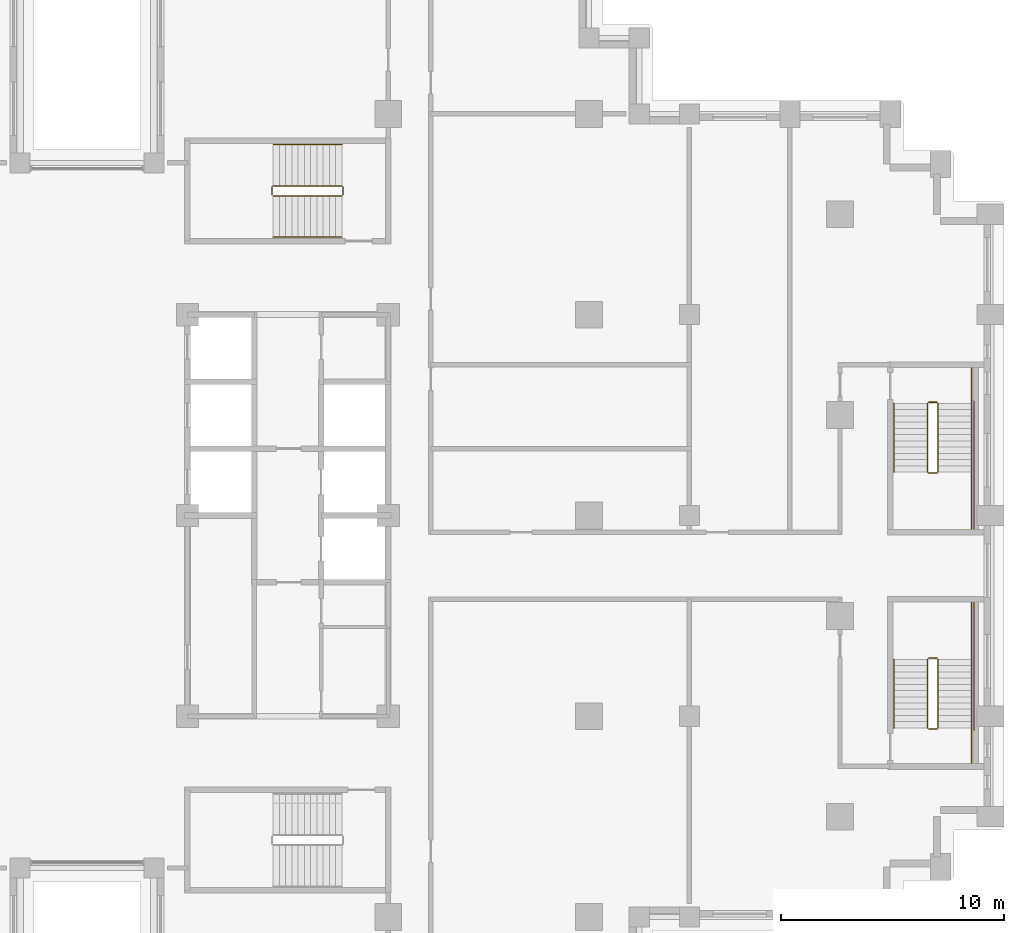
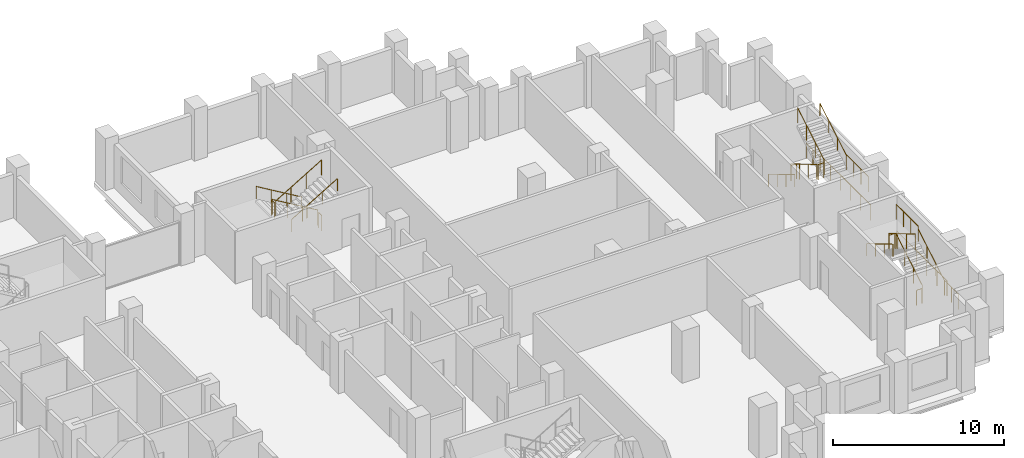
# One storey, part 15 of 15: 3 railings.
"""IFC4 building model written with IfcOpenShell, lengths in metres."""

from ifc_helpers import new_model, si_unit, direction, frame, origin, origin_2d, place, context, subcontext, project, spatial, circle, extrude, material, type_object, element, save


model = new_model("IFC4")

# Units and contexts
model_context = context("Model", 3, precision=1e-05, world=origin(), true_north=direction((0.0, 1.0)))
body_context = subcontext(model_context, "Body", "Model", "MODEL_VIEW")
ifc_project = project(units=[si_unit("LENGTHUNIT", "METRE"), si_unit("AREAUNIT", "SQUARE_METRE"), si_unit("VOLUMEUNIT", "CUBIC_METRE"), si_unit("PLANEANGLEUNIT", "RADIAN"), si_unit("MASSUNIT", "GRAM", prefix="KILO")], contexts=[model_context])

# Site, building, storey
site_placement = place(None, origin())
site = spatial("IfcSite", under=ifc_project, at=site_placement, CompositionType="ELEMENT")
building_placement = place(site_placement, origin())
building = spatial("IfcBuilding", under=site, at=building_placement, Name="Corbelhall Arena Tower", CompositionType="ELEMENT")
storey_placement = place(building_placement, frame((0.0, 0.0, 84.0)))
storey = spatial("IfcBuildingStorey", under=building, at=storey_placement, Name="L13", CompositionType="ELEMENT", Elevation=84.0)

# Railings
ifc_material = material(Name="Steel ASTM A500 Gr C", Category="steel")
railing_type = type_object("IfcRailingType", Name="IN-GD-1100", PredefinedType="GUARDRAIL", material=ifc_material)
railing_1_placement = place(storey_placement, frame((11.425048828125, 14.77490234375, 0.166748046875)))
element("IfcRailing", 1, at=railing_1_placement, inside=storey, type_object=railing_type, Name="L13 ST3 stair guards and handrails", PredefinedType="GUARDRAIL", context=body_context, shape_type="SweptSolid", body=[
    extrude(circle(Radius=0.02392578125, at=origin_2d()), frame((0.0, 0.0, 1.076171875), z_axis=(-0.859308565015, 0.0, 0.511457515432), x_axis=(0.0, -1.0, 0.0)), (0.0, 0.0, 1.0), 3.58447265625),
    extrude(circle(Radius=0.02392578125, at=origin_2d()), frame((-3.130126953125, -0.0498046875, 2.9091796875), z_axis=(0.0, -1.0, 0.0), x_axis=(1.0, 0.0, 0.0)), (0.0, 0.0, 1.0), 0.35009765625),
    extrude(circle(Radius=0.02392578125, at=origin_2d()), frame((-3.080078125, -0.449951171875, 3.076171875), z_axis=(0.859308565015, 0.0, 0.511457515432), x_axis=(0.0, 1.0, 0.0)), (0.0, 0.0, 1.0), 3.58447265625),
    extrude(circle(Radius=0.02392578125, at=origin_2d()), frame((0.050048828125, -0.0498046875, 0.9091796875), z_axis=(0.0, -1.0, 0.0), x_axis=(1.0, 0.0, 0.0)), (0.0, 0.0, 1.0), 0.35009765625),
    extrude(circle(Radius=0.02392578125, at=origin_2d()), frame((0.0, 1.85009765625, 0.8759765625), z_axis=(-0.859308565015, 0.0, 0.511457515432), x_axis=(0.0, -1.0, 0.0)), (0.0, 0.0, 1.0), 3.58447265625),
    extrude(circle(Radius=0.02392578125, at=origin_2d()), frame((-3.080078125, -2.2998046875, 2.8759765625), z_axis=(0.859308565015, 0.0, 0.511457515432), x_axis=(0.0, 1.0, 0.0)), (0.0, 0.0, 1.0), 3.58447265625),
    extrude(circle(Radius=0.02099609375, at=origin_2d()), origin(), (0.0, 0.0, 1.0), 1.052001953125),
    extrude(circle(Radius=0.02099609375, at=origin_2d()), frame((-1.026611328125, 0.0, 0.611083984375)), (0.0, 0.0, 1.0), 1.052001953125),
    extrude(circle(Radius=0.02099609375, at=origin_2d()), frame((-2.053466796875, 0.0, 1.22216796875)), (0.0, 0.0, 1.0), 1.052001953125),
    extrude(circle(Radius=0.02099609375, at=origin_2d()), frame((-3.080078125, 0.0, 1.833251953125)), (0.0, 0.0, 1.0), 1.052001953125),
    extrude(circle(Radius=0.02099609375, at=origin_2d()), frame((-3.130126953125, -0.0498046875, 1.833251953125)), (0.0, 0.0, 1.0), 1.052001953125),
    extrude(circle(Radius=0.02099609375, at=origin_2d()), frame((-3.130126953125, -0.39990234375, 1.833251953125)), (0.0, 0.0, 1.0), 1.052001953125),
    extrude(circle(Radius=0.02099609375, at=origin_2d()), frame((-3.080078125, -0.449951171875, 2.0)), (0.0, 0.0, 1.0), 1.052001953125),
    extrude(circle(Radius=0.02099609375, at=origin_2d()), frame((-2.053466796875, -0.449951171875, 2.611083984375)), (0.0, 0.0, 1.0), 1.052001953125),
    extrude(circle(Radius=0.02099609375, at=origin_2d()), frame((-1.026611328125, -0.449951171875, 3.22216796875)), (0.0, 0.0, 1.0), 1.052001953125),
    extrude(circle(Radius=0.02099609375, at=origin_2d()), frame((0.0, -0.449951171875, 3.833251953125)), (0.0, 0.0, 1.0), 1.052001953125),
    extrude(circle(Radius=0.02099609375, at=origin_2d()), frame((0.050048828125, -0.0498046875, -0.166748046875)), (0.0, 0.0, 1.0), 1.052001953125),
    extrude(circle(Radius=0.02099609375, at=origin_2d()), frame((0.050048828125, -0.39990234375, -0.166748046875)), (0.0, 0.0, 1.0), 1.052001953125),
    extrude(circle(Radius=0.02099609375, at=origin_2d()), frame((0.0, 1.85009765625, 0.0)), (0.0, 0.0, 1.0), 0.851806640625),
    extrude(circle(Radius=0.02099609375, at=origin_2d()), frame((-1.026611328125, 1.85009765625, 0.611083984375)), (0.0, 0.0, 1.0), 0.851806640625),
    extrude(circle(Radius=0.02099609375, at=origin_2d()), frame((-2.053466796875, 1.85009765625, 1.22216796875)), (0.0, 0.0, 1.0), 0.851806640625),
    extrude(circle(Radius=0.02099609375, at=origin_2d()), frame((-3.080078125, 1.85009765625, 1.833251953125)), (0.0, 0.0, 1.0), 0.851806640625),
    extrude(circle(Radius=0.02099609375, at=origin_2d()), frame((-3.080078125, -2.2998046875, 2.0)), (0.0, 0.0, 1.0), 0.851806640625),
    extrude(circle(Radius=0.02099609375, at=origin_2d()), frame((-2.053466796875, -2.2998046875, 2.611083984375)), (0.0, 0.0, 1.0), 0.851806640625),
    extrude(circle(Radius=0.02099609375, at=origin_2d()), frame((-1.026611328125, -2.2998046875, 3.22216796875)), (0.0, 0.0, 1.0), 0.851806640625),
    extrude(circle(Radius=0.02099609375, at=origin_2d()), frame((0.0, -2.2998046875, 3.833251953125)), (0.0, 0.0, 1.0), 0.851806640625),
])
railing_2_placement = place(storey_placement, frame((38.14990234375, -9.52490234375, 0.166748046875)))
element("IfcRailing", 2, at=railing_2_placement, inside=storey, type_object=railing_type, Name="L13 SD1 stair guards and handrails", PredefinedType="GUARDRAIL", context=body_context, shape_type="SweptSolid", body=[
    extrude(circle(Radius=0.02392578125, at=origin_2d()), frame((0.0, 0.0, 1.076171875), z_axis=(0.0, 0.859290745958, 0.51148745235), x_axis=(-1.0, 0.0, 0.0)), (0.0, 0.0, 1.0), 3.584228515625),
    extrude(circle(Radius=0.02392578125, at=origin_2d()), frame((-0.0498046875, 3.1298828125, 2.9091796875), z_axis=(-1.0, 0.0, 0.0), x_axis=(0.0, -1.0, 0.0)), (0.0, 0.0, 1.0), 0.375),
    extrude(circle(Radius=0.02392578125, at=origin_2d()), frame((1.5, 3.079833984375, 2.9091796875), z_axis=(0.0, 1.0, 0.0), x_axis=(-1.0, 0.0, 0.0)), (0.0, 0.0, 1.0), 2.570068359375),
    extrude(circle(Radius=0.02392578125, at=origin_2d()), frame((-0.474853515625, 3.079833984375, 3.076171875), z_axis=(0.0, -0.859290745958, 0.51148745235), x_axis=(1.0, 0.0, 0.0)), (0.0, 0.0, 1.0), 3.584228515625),
    extrude(circle(Radius=0.02392578125, at=origin_2d()), frame((-0.0498046875, -0.050048828125, 0.9091796875), z_axis=(-1.0, 0.0, 0.0), x_axis=(0.0, -1.0, 0.0)), (0.0, 0.0, 1.0), 0.375),
    extrude(circle(Radius=0.02392578125, at=origin_2d()), frame((1.5, -1.60009765625, 0.9091796875), z_axis=(0.0, 1.0, 0.0), x_axis=(-1.0, 0.0, 0.0)), (0.0, 0.0, 1.0), 1.60009765625),
    extrude(circle(Radius=0.02392578125, at=origin_2d()), frame((1.60009765625, -0.10009765625, 0.9091796875), z_axis=(0.0, 1.0, 0.0), x_axis=(-1.0, 0.0, 0.0)), (0.0, 0.0, 1.0), 5.85009765625),
    extrude(circle(Radius=0.02392578125, at=origin_2d()), frame((1.5, 0.0, 0.8759765625), z_axis=(0.0, 0.859290745958, 0.51148745235), x_axis=(-1.0, 0.0, 0.0)), (0.0, 0.0, 1.0), 3.584228515625),
    extrude(circle(Radius=0.02392578125, at=origin_2d()), frame((-1.974853515625, 3.079833984375, 2.8759765625), z_axis=(0.0, -0.859290745958, 0.51148745235), x_axis=(1.0, 0.0, 0.0)), (0.0, 0.0, 1.0), 3.584228515625),
    extrude(circle(Radius=0.02099609375, at=origin_2d()), origin(), (0.0, 0.0, 1.0), 1.052001953125),
    extrude(circle(Radius=0.02099609375, at=origin_2d()), frame((0.0, 1.026611328125, 0.611083984375)), (0.0, 0.0, 1.0), 1.052001953125),
    extrude(circle(Radius=0.02099609375, at=origin_2d()), frame((0.0, 2.05322265625, 1.22216796875)), (0.0, 0.0, 1.0), 1.052001953125),
    extrude(circle(Radius=0.02099609375, at=origin_2d()), frame((0.0, 3.079833984375, 1.833251953125)), (0.0, 0.0, 1.0), 1.052001953125),
    extrude(circle(Radius=0.02099609375, at=origin_2d()), frame((-0.0498046875, 3.1298828125, 1.833251953125)), (0.0, 0.0, 1.0), 1.052001953125),
    extrude(circle(Radius=0.02099609375, at=origin_2d()), frame((-0.4248046875, 3.1298828125, 1.833251953125)), (0.0, 0.0, 1.0), 1.052001953125),
    extrude(circle(Radius=0.02099609375, at=origin_2d()), frame((1.5, 3.079833984375, 1.833251953125)), (0.0, 0.0, 1.0), 1.052001953125),
    extrude(circle(Radius=0.02099609375, at=origin_2d()), frame((1.5, 3.9365234375, 1.833251953125)), (0.0, 0.0, 1.0), 1.052001953125),
    extrude(circle(Radius=0.02099609375, at=origin_2d()), frame((1.5, 4.793212890625, 1.833251953125)), (0.0, 0.0, 1.0), 1.052001953125),
    extrude(circle(Radius=0.02099609375, at=origin_2d()), frame((1.5, 5.64990234375, 1.833251953125)), (0.0, 0.0, 1.0), 1.052001953125),
    extrude(circle(Radius=0.02099609375, at=origin_2d()), frame((-0.474853515625, 3.079833984375, 2.0)), (0.0, 0.0, 1.0), 1.052001953125),
    extrude(circle(Radius=0.02099609375, at=origin_2d()), frame((-0.474853515625, 2.05322265625, 2.611083984375)), (0.0, 0.0, 1.0), 1.052001953125),
    extrude(circle(Radius=0.02099609375, at=origin_2d()), frame((-0.474853515625, 1.026611328125, 3.22216796875)), (0.0, 0.0, 1.0), 1.052001953125),
    extrude(circle(Radius=0.02099609375, at=origin_2d()), frame((-0.474853515625, 0.0, 3.833251953125)), (0.0, 0.0, 1.0), 1.052001953125),
    extrude(circle(Radius=0.02099609375, at=origin_2d()), frame((-0.0498046875, -0.050048828125, -0.166748046875)), (0.0, 0.0, 1.0), 1.052001953125),
    extrude(circle(Radius=0.02099609375, at=origin_2d()), frame((-0.4248046875, -0.050048828125, -0.166748046875)), (0.0, 0.0, 1.0), 1.052001953125),
    extrude(circle(Radius=0.02099609375, at=origin_2d()), frame((1.5, -1.60009765625, -0.166748046875)), (0.0, 0.0, 1.0), 1.052001953125),
    extrude(circle(Radius=0.02099609375, at=origin_2d()), frame((1.5, -0.800048828125, -0.166748046875)), (0.0, 0.0, 1.0), 1.052001953125),
    extrude(circle(Radius=0.02099609375, at=origin_2d()), frame((1.5, 0.0, -0.166748046875)), (0.0, 0.0, 1.0), 1.052001953125),
    extrude(circle(Radius=0.02099609375, at=origin_2d()), frame((1.60009765625, -0.10009765625, -0.166748046875)), (0.0, 0.0, 1.0), 1.052001953125),
    extrude(circle(Radius=0.02099609375, at=origin_2d()), frame((1.60009765625, 1.06982421875, -0.166748046875)), (0.0, 0.0, 1.0), 1.052001953125),
    extrude(circle(Radius=0.02099609375, at=origin_2d()), frame((1.60009765625, 2.239990234375, -0.166748046875)), (0.0, 0.0, 1.0), 1.052001953125),
    extrude(circle(Radius=0.02099609375, at=origin_2d()), frame((1.60009765625, 3.409912109375, -0.166748046875)), (0.0, 0.0, 1.0), 1.052001953125),
    extrude(circle(Radius=0.02099609375, at=origin_2d()), frame((1.60009765625, 4.580078125, -0.166748046875)), (0.0, 0.0, 1.0), 1.052001953125),
    extrude(circle(Radius=0.02099609375, at=origin_2d()), frame((1.60009765625, 5.75, -0.166748046875)), (0.0, 0.0, 1.0), 1.052001953125),
    extrude(circle(Radius=0.02099609375, at=origin_2d()), frame((1.5, 0.0, 0.0)), (0.0, 0.0, 1.0), 0.851806640625),
    extrude(circle(Radius=0.02099609375, at=origin_2d()), frame((1.5, 1.026611328125, 0.611083984375)), (0.0, 0.0, 1.0), 0.851806640625),
    extrude(circle(Radius=0.02099609375, at=origin_2d()), frame((1.5, 2.05322265625, 1.22216796875)), (0.0, 0.0, 1.0), 0.851806640625),
    extrude(circle(Radius=0.02099609375, at=origin_2d()), frame((-1.974853515625, 3.079833984375, 2.0)), (0.0, 0.0, 1.0), 0.851806640625),
    extrude(circle(Radius=0.02099609375, at=origin_2d()), frame((-1.974853515625, 2.05322265625, 2.611083984375)), (0.0, 0.0, 1.0), 0.851806640625),
    extrude(circle(Radius=0.02099609375, at=origin_2d()), frame((-1.974853515625, 1.026611328125, 3.22216796875)), (0.0, 0.0, 1.0), 0.851806640625),
    extrude(circle(Radius=0.02099609375, at=origin_2d()), frame((-1.974853515625, 0.0, 3.833251953125)), (0.0, 0.0, 1.0), 0.851806640625),
])
railing_3_placement = place(storey_placement, frame((37.675048828125, 5.02490234375, 0.166748046875)))
element("IfcRailing", 3, at=railing_3_placement, inside=storey, type_object=railing_type, Name="L13 SD2 stair guards and handrails", PredefinedType="GUARDRAIL", context=body_context, shape_type="SweptSolid", body=[
    extrude(circle(Radius=0.02392578125, at=origin_2d()), frame((0.0, 0.0, 1.076171875), z_axis=(0.0, -0.859290745958, 0.51148745235), x_axis=(1.0, 0.0, 0.0)), (0.0, 0.0, 1.0), 3.584228515625),
    extrude(circle(Radius=0.02392578125, at=origin_2d()), frame((0.050048828125, -3.1298828125, 2.9091796875), z_axis=(1.0, 0.0, 0.0), x_axis=(0.0, 1.0, 0.0)), (0.0, 0.0, 1.0), 0.375),
    extrude(circle(Radius=0.02392578125, at=origin_2d()), frame((1.974853515625, -3.079833984375, 2.9091796875), z_axis=(0.0, -1.0, 0.0), x_axis=(1.0, 0.0, 0.0)), (0.0, 0.0, 1.0), 2.570068359375),
    extrude(circle(Radius=0.02392578125, at=origin_2d()), frame((0.474853515625, -3.079833984375, 3.076171875), z_axis=(0.0, 0.859290745958, 0.51148745235), x_axis=(-1.0, 0.0, 0.0)), (0.0, 0.0, 1.0), 3.584228515625),
    extrude(circle(Radius=0.02392578125, at=origin_2d()), frame((0.050048828125, 0.050048828125, 0.9091796875), z_axis=(1.0, 0.0, 0.0), x_axis=(0.0, 1.0, 0.0)), (0.0, 0.0, 1.0), 0.375),
    extrude(circle(Radius=0.02392578125, at=origin_2d()), frame((1.974853515625, 1.60009765625, 0.9091796875), z_axis=(0.0, -1.0, 0.0), x_axis=(1.0, 0.0, 0.0)), (0.0, 0.0, 1.0), 1.60009765625),
    extrude(circle(Radius=0.02392578125, at=origin_2d()), frame((2.074951171875, 0.10009765625, 0.9091796875), z_axis=(0.0, -1.0, 0.0), x_axis=(1.0, 0.0, 0.0)), (0.0, 0.0, 1.0), 5.85009765625),
    extrude(circle(Radius=0.02392578125, at=origin_2d()), frame((-1.5, 0.0, 0.8759765625), z_axis=(0.0, -0.859290745958, 0.51148745235), x_axis=(1.0, 0.0, 0.0)), (0.0, 0.0, 1.0), 3.584228515625),
    extrude(circle(Radius=0.02392578125, at=origin_2d()), frame((1.974853515625, -3.079833984375, 2.8759765625), z_axis=(0.0, 0.859290745958, 0.51148745235), x_axis=(-1.0, 0.0, 0.0)), (0.0, 0.0, 1.0), 3.584228515625),
    extrude(circle(Radius=0.02099609375, at=origin_2d()), origin(), (0.0, 0.0, 1.0), 1.052001953125),
    extrude(circle(Radius=0.02099609375, at=origin_2d()), frame((0.0, -1.026611328125, 0.611083984375)), (0.0, 0.0, 1.0), 1.052001953125),
    extrude(circle(Radius=0.02099609375, at=origin_2d()), frame((0.0, -2.05322265625, 1.22216796875)), (0.0, 0.0, 1.0), 1.052001953125),
    extrude(circle(Radius=0.02099609375, at=origin_2d()), frame((0.0, -3.079833984375, 1.833251953125)), (0.0, 0.0, 1.0), 1.052001953125),
    extrude(circle(Radius=0.02099609375, at=origin_2d()), frame((0.050048828125, -3.1298828125, 1.833251953125)), (0.0, 0.0, 1.0), 1.052001953125),
    extrude(circle(Radius=0.02099609375, at=origin_2d()), frame((0.425048828125, -3.1298828125, 1.833251953125)), (0.0, 0.0, 1.0), 1.052001953125),
    extrude(circle(Radius=0.02099609375, at=origin_2d()), frame((1.974853515625, -3.079833984375, 1.833251953125)), (0.0, 0.0, 1.0), 1.052001953125),
    extrude(circle(Radius=0.02099609375, at=origin_2d()), frame((1.974853515625, -3.9365234375, 1.833251953125)), (0.0, 0.0, 1.0), 1.052001953125),
    extrude(circle(Radius=0.02099609375, at=origin_2d()), frame((1.974853515625, -4.793212890625, 1.833251953125)), (0.0, 0.0, 1.0), 1.052001953125),
    extrude(circle(Radius=0.02099609375, at=origin_2d()), frame((1.974853515625, -5.64990234375, 1.833251953125)), (0.0, 0.0, 1.0), 1.052001953125),
    extrude(circle(Radius=0.02099609375, at=origin_2d()), frame((0.474853515625, -3.079833984375, 2.0)), (0.0, 0.0, 1.0), 1.052001953125),
    extrude(circle(Radius=0.02099609375, at=origin_2d()), frame((0.474853515625, -2.05322265625, 2.611083984375)), (0.0, 0.0, 1.0), 1.052001953125),
    extrude(circle(Radius=0.02099609375, at=origin_2d()), frame((0.474853515625, -1.026611328125, 3.22216796875)), (0.0, 0.0, 1.0), 1.052001953125),
    extrude(circle(Radius=0.02099609375, at=origin_2d()), frame((0.474853515625, 0.0, 3.833251953125)), (0.0, 0.0, 1.0), 1.052001953125),
    extrude(circle(Radius=0.02099609375, at=origin_2d()), frame((0.050048828125, 0.050048828125, -0.166748046875)), (0.0, 0.0, 1.0), 1.052001953125),
    extrude(circle(Radius=0.02099609375, at=origin_2d()), frame((0.425048828125, 0.050048828125, -0.166748046875)), (0.0, 0.0, 1.0), 1.052001953125),
    extrude(circle(Radius=0.02099609375, at=origin_2d()), frame((1.974853515625, 1.60009765625, -0.166748046875)), (0.0, 0.0, 1.0), 1.052001953125),
    extrude(circle(Radius=0.02099609375, at=origin_2d()), frame((1.974853515625, 0.800048828125, -0.166748046875)), (0.0, 0.0, 1.0), 1.052001953125),
    extrude(circle(Radius=0.02099609375, at=origin_2d()), frame((1.974853515625, 0.0, -0.166748046875)), (0.0, 0.0, 1.0), 1.052001953125),
    extrude(circle(Radius=0.02099609375, at=origin_2d()), frame((2.074951171875, 0.10009765625, -0.166748046875)), (0.0, 0.0, 1.0), 1.052001953125),
    extrude(circle(Radius=0.02099609375, at=origin_2d()), frame((2.074951171875, -1.06982421875, -0.166748046875)), (0.0, 0.0, 1.0), 1.052001953125),
    extrude(circle(Radius=0.02099609375, at=origin_2d()), frame((2.074951171875, -2.239990234375, -0.166748046875)), (0.0, 0.0, 1.0), 1.052001953125),
    extrude(circle(Radius=0.02099609375, at=origin_2d()), frame((2.074951171875, -3.409912109375, -0.166748046875)), (0.0, 0.0, 1.0), 1.052001953125),
    extrude(circle(Radius=0.02099609375, at=origin_2d()), frame((2.074951171875, -4.580078125, -0.166748046875)), (0.0, 0.0, 1.0), 1.052001953125),
    extrude(circle(Radius=0.02099609375, at=origin_2d()), frame((2.074951171875, -5.75, -0.166748046875)), (0.0, 0.0, 1.0), 1.052001953125),
    extrude(circle(Radius=0.02099609375, at=origin_2d()), frame((-1.5, 0.0, 0.0)), (0.0, 0.0, 1.0), 0.851806640625),
    extrude(circle(Radius=0.02099609375, at=origin_2d()), frame((-1.5, -1.026611328125, 0.611083984375)), (0.0, 0.0, 1.0), 0.851806640625),
    extrude(circle(Radius=0.02099609375, at=origin_2d()), frame((-1.5, -2.05322265625, 1.22216796875)), (0.0, 0.0, 1.0), 0.851806640625),
    extrude(circle(Radius=0.02099609375, at=origin_2d()), frame((-1.5, -3.079833984375, 1.833251953125)), (0.0, 0.0, 1.0), 0.851806640625),
    extrude(circle(Radius=0.02099609375, at=origin_2d()), frame((1.974853515625, -3.079833984375, 2.0)), (0.0, 0.0, 1.0), 0.851806640625),
    extrude(circle(Radius=0.02099609375, at=origin_2d()), frame((1.974853515625, -2.05322265625, 2.611083984375)), (0.0, 0.0, 1.0), 0.851806640625),
    extrude(circle(Radius=0.02099609375, at=origin_2d()), frame((1.974853515625, -1.026611328125, 3.22216796875)), (0.0, 0.0, 1.0), 0.851806640625),
    extrude(circle(Radius=0.02099609375, at=origin_2d()), frame((1.974853515625, 0.0, 3.833251953125)), (0.0, 0.0, 1.0), 0.851806640625),
])

save(model, "model.ifc")
